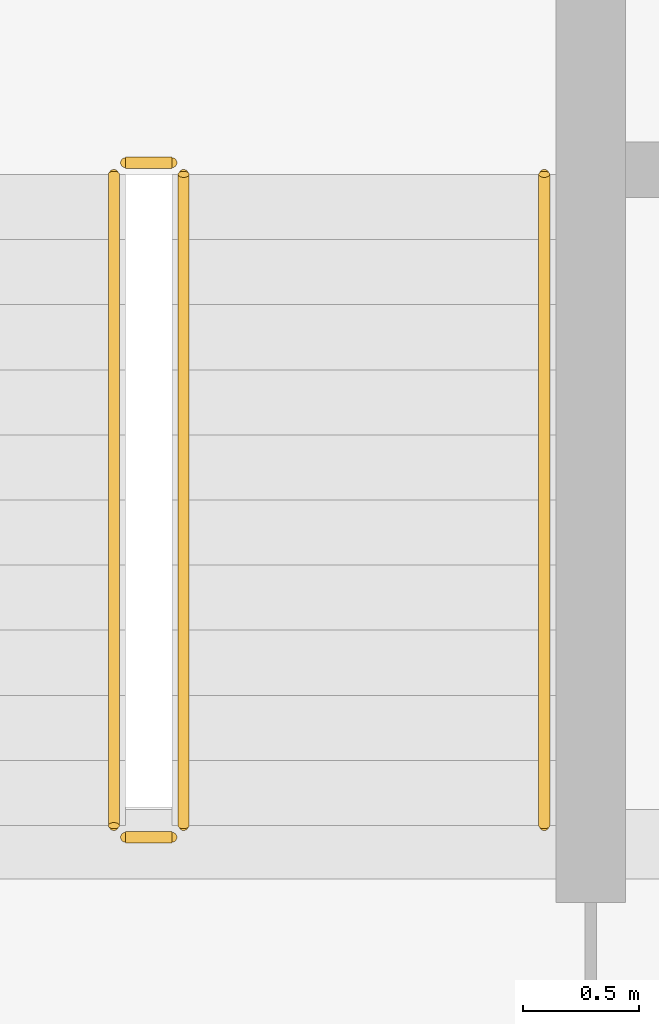
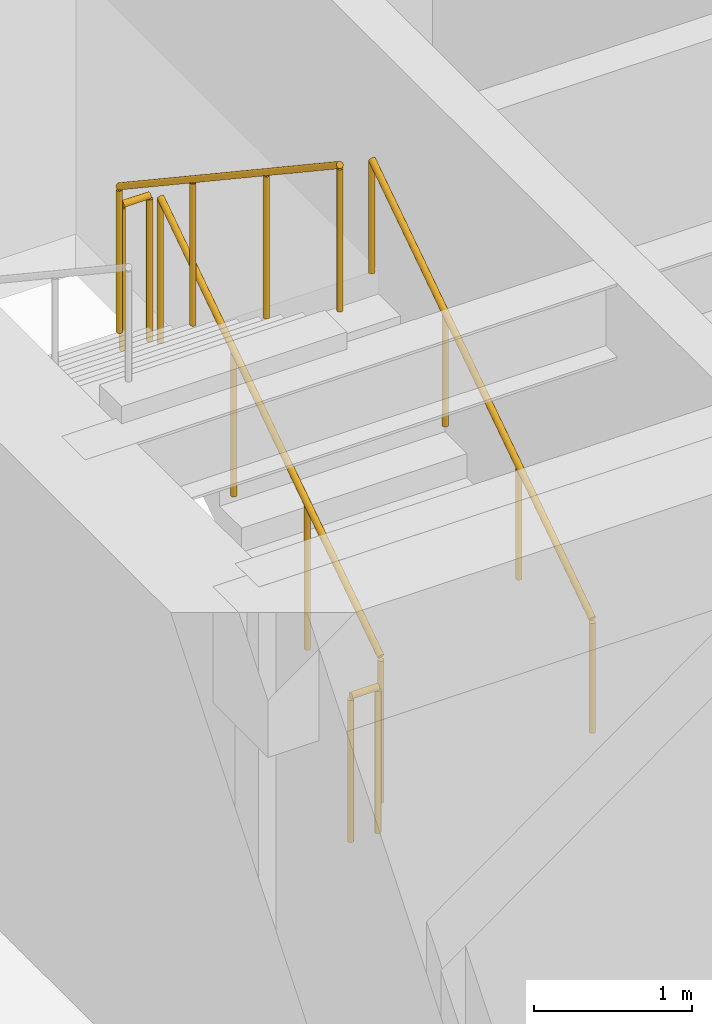
# One storey, part 30 of 32: 5 railings.
"""IFC4 building model written with IfcOpenShell, lengths in metres."""

from ifc_helpers import new_model, si_unit, direction, frame, origin, origin_2d, place, context, subcontext, project, spatial, circle, extrude, source, transform, mapped, material, type_object, type_shapes, element, save


model = new_model("IFC4")

# Units and contexts
model_context = context("Model", 3, precision=1e-05, world=origin(), true_north=direction((0.0, 1.0)))
body_context = subcontext(model_context, "Body", "Model", "MODEL_VIEW")
ifc_project = project(units=[si_unit("LENGTHUNIT", "METRE"), si_unit("AREAUNIT", "SQUARE_METRE"), si_unit("VOLUMEUNIT", "CUBIC_METRE"), si_unit("PLANEANGLEUNIT", "RADIAN"), si_unit("MASSUNIT", "GRAM", prefix="KILO")], contexts=[model_context])

# Site, building, storey
site_placement = place(None, origin())
site = spatial("IfcSite", under=ifc_project, at=site_placement, CompositionType="ELEMENT")
building_placement = place(site_placement, origin())
building = spatial("IfcBuilding", under=site, at=building_placement, Name="Haelvirn Gate Laboratories", CompositionType="ELEMENT")
storey_placement = place(building_placement, frame((0.0, 0.0, 33.39990234375)))
storey = spatial("IfcBuildingStorey", under=building, at=storey_placement, Name="L08", CompositionType="ELEMENT", Elevation=33.39990234375)

# Railings
ifc_material_1 = material(Name="Galvanised steel SM355 & stainless top rail", Category="steel")
railing_type_1 = type_object("IfcRailingType", Name="RL-GUARD-1150", PredefinedType="GUARDRAIL", material=ifc_material_1)
shared_shape_1 = source(origin(), body_context, "Body", "SweptSolid", [
    extrude(circle(Radius=0.02392578125, at=origin_2d()), frame((0.0, 0.0, 1.1259765625), z_axis=(-1.0, 0.0, 0.0), x_axis=(0.0, -1.0, 0.0)), (0.0, 0.0, 1.0), 0.199951171875),
    extrude(circle(Radius=0.02099609375, at=origin_2d()), origin(), (0.0, 0.0, 1.0), 1.101806640625),
    extrude(circle(Radius=0.02099609375, at=origin_2d()), frame((-0.199951171875, 0.0, 0.0)), (0.0, 0.0, 1.0), 1.101806640625),
])
for number, where, name in (
    (1, (9.64990234375, 29.550048828125, 2.050048828125), "L08 ST1 stair guard 2"),
    (2, (9.64990234375, 26.64990234375, 0.0), "L08 ST1 stair guard 4"),
):
    element("IfcRailing", number, at=place(storey_placement, frame(where)), inside=storey, type_object=railing_type_1, Name=name, PredefinedType="GUARDRAIL", context=body_context, shape_type="MappedRepresentation", body=[
        mapped(shared_shape_1, transform((0.0, 0.0, 0.0), scale=1.0)),
    ])
shared_shape_2 = source(origin(), body_context, "Body", "SweptSolid", [
    extrude(circle(Radius=0.02392578125, at=origin_2d()), frame((0.0, 0.0, 1.1259765625), z_axis=(0.0, 0.832485552168, 0.554046753832), x_axis=(-1.0, 0.0, 0.0)), (0.0, 0.0, 1.0), 3.363525390625),
    extrude(circle(Radius=0.02099609375, at=origin_2d()), origin(), (0.0, 0.0, 1.0), 1.101806640625),
    extrude(circle(Radius=0.02099609375, at=origin_2d()), frame((0.0, 0.933349609375, 0.62109375)), (0.0, 0.0, 1.0), 1.101806640625),
    extrude(circle(Radius=0.02099609375, at=origin_2d()), frame((0.0, 1.86669921875, 1.242431640625)), (0.0, 0.0, 1.0), 1.101806640625),
    extrude(circle(Radius=0.02099609375, at=origin_2d()), frame((0.0, 2.800048828125, 1.863525390625)), (0.0, 0.0, 1.0), 1.101806640625),
])
railing_1_placement = place(storey_placement, frame((9.699951171875, 26.699951171875, 0.1865234375)))
element("IfcRailing", 3, at=railing_1_placement, inside=storey, type_object=railing_type_1, Name="L08 ST1 stair guard 1", PredefinedType="GUARDRAIL", context=body_context, shape_type="MappedRepresentation", body=[
    mapped(shared_shape_2, transform((0.0, 0.0, 0.0), scale=1.0)),
])
ifc_material_2 = material(Name="Brushed stainless steel 316L", Category="steel")
railing_type_2 = type_object("IfcRailingType", Name="RL-HAND-920", PredefinedType="HANDRAIL", material=ifc_material_2)
shared_shape_3 = source(origin(), body_context, "Body", "SweptSolid", [
    extrude(circle(Radius=0.02392578125, at=origin_2d()), frame((0.0, 0.0, 0.8759765625), z_axis=(0.0, 0.832485552168, 0.554046753832), x_axis=(-1.0, 0.0, 0.0)), (0.0, 0.0, 1.0), 3.363525390625),
    extrude(circle(Radius=0.02099609375, at=origin_2d()), origin(), (0.0, 0.0, 1.0), 0.851806640625),
    extrude(circle(Radius=0.02099609375, at=origin_2d()), frame((0.0, 0.933349609375, 0.62109375)), (0.0, 0.0, 1.0), 0.851806640625),
    extrude(circle(Radius=0.02099609375, at=origin_2d()), frame((0.0, 1.86669921875, 1.242431640625)), (0.0, 0.0, 1.0), 0.851806640625),
    extrude(circle(Radius=0.02099609375, at=origin_2d()), frame((0.0, 2.800048828125, 1.863525390625)), (0.0, 0.0, 1.0), 0.851806640625),
])
type_shapes(railing_type_2, [shared_shape_3])
railing_2_placement = place(storey_placement, frame((11.25, 26.699951171875, 0.1865234375)))
element("IfcRailing", 4, at=railing_2_placement, inside=storey, type_object=railing_type_2, Name="L08 ST1 stair handrail 1", PredefinedType="HANDRAIL", context=body_context, shape_type="MappedRepresentation", body=[
    mapped(shared_shape_3, transform((0.0, 0.0, 0.0), scale=1.0)),
])
shared_shape_4 = source(origin(), body_context, "Body", "SweptSolid", [
    extrude(circle(Radius=0.02392578125, at=origin_2d()), frame((0.0, 0.0, 1.1259765625), z_axis=(0.0, -0.832485552168, 0.554046753832), x_axis=(1.0, 0.0, 0.0)), (0.0, 0.0, 1.0), 3.363525390625),
    extrude(circle(Radius=0.02099609375, at=origin_2d()), origin(), (0.0, 0.0, 1.0), 1.101806640625),
    extrude(circle(Radius=0.02099609375, at=origin_2d()), frame((0.0, -0.933349609375, 0.62109375)), (0.0, 0.0, 1.0), 1.101806640625),
    extrude(circle(Radius=0.02099609375, at=origin_2d()), frame((0.0, -1.86669921875, 1.242431640625)), (0.0, 0.0, 1.0), 1.101806640625),
    extrude(circle(Radius=0.02099609375, at=origin_2d()), frame((0.0, -2.800048828125, 1.863525390625)), (0.0, 0.0, 1.0), 1.101806640625),
])
type_shapes(railing_type_1, [shared_shape_1, shared_shape_2, shared_shape_4])
railing_3_placement = place(storey_placement, frame((9.39990234375, 29.5, 2.236572265625)))
element("IfcRailing", 5, at=railing_3_placement, inside=storey, type_object=railing_type_1, Name="L08 ST1 stair guard 3", PredefinedType="GUARDRAIL", context=body_context, shape_type="MappedRepresentation", body=[
    mapped(shared_shape_4, transform((0.0, 0.0, 0.0), scale=1.0)),
])

save(model, "model.ifc")
